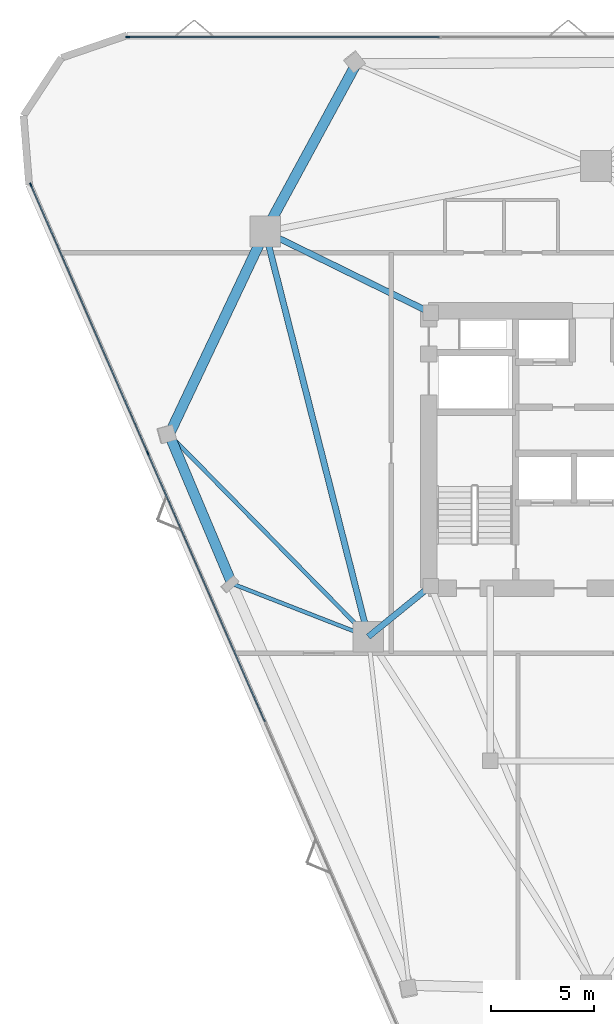
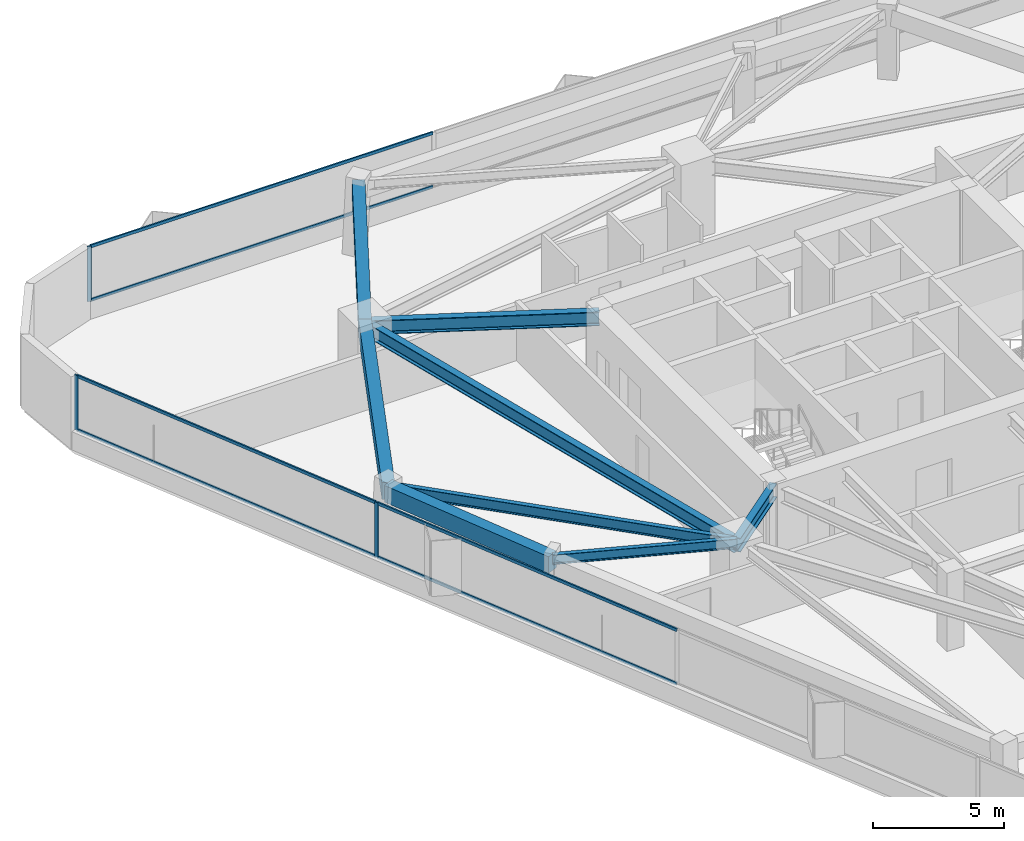
# One storey, part 4 of 11: 9 members, 8 beams, 2 elements without a shape of their own.
"""IFC4 building model written with IfcOpenShell, lengths in metres."""

from ifc_helpers import new_model, si_unit, direction, frame, origin, origin_2d, place, context, subcontext, project, spatial, rectangle, i_section, extrude, material, layer, layer_set, material_profile, profile_set, type_object, element, aggregate, save


model = new_model("IFC4")

# Units and contexts
model_context = context("Model", 3, precision=1e-05, world=origin(), true_north=direction((0.0, 1.0)))
body_context = subcontext(model_context, "Body", "Model", "MODEL_VIEW")
ifc_project = project(units=[si_unit("LENGTHUNIT", "METRE"), si_unit("AREAUNIT", "SQUARE_METRE"), si_unit("VOLUMEUNIT", "CUBIC_METRE"), si_unit("PLANEANGLEUNIT", "RADIAN"), si_unit("MASSUNIT", "GRAM", prefix="KILO")], contexts=[model_context])

# Site, building, storey
site_placement = place(None, origin())
site = spatial("IfcSite", under=ifc_project, at=site_placement, CompositionType="ELEMENT")
building_placement = place(site_placement, origin())
building = spatial("IfcBuilding", under=site, at=building_placement, Name="Talyreon Biosciences Tower", CompositionType="ELEMENT")
storey_placement = place(building_placement, frame((0.0, 0.0, 163.699951171875)))
storey = spatial("IfcBuildingStorey", under=building, at=storey_placement, Name="L43", CompositionType="ELEMENT", Elevation=163.699951171875)

# Curtain wall, members
ifc_material_1 = material(Name="Thermally broken aluminium and low-E glazing", Category="aluminium")
ifc_layer = layer(ifc_material_1, 0.18505859375)
ifc_layer_set = layer_set([ifc_layer], Name="Thermally broken aluminium and low-E glazing")
curtain_wall_type = type_object("IfcCurtainWallType", Name="CurtainWall_Zone3Bioprocess", PredefinedType="NOTDEFINED", material=ifc_layer_set)
curtain_wall_1_placement = place(storey_placement, origin())
curtain_wall_1 = element("IfcCurtainWall", 1, at=curtain_wall_1_placement, inside=storey, type_object=curtain_wall_type, Name="L43 Unitised Curtain Wall FCW-L43-00", PredefinedType="NOTDEFINED")
ifc_material_2 = material(Name="Anodised thermally broken aluminium", Category="aluminium")
ifc_material_profile_1 = material_profile(ifc_material_2, rectangle(XDim=0.06494140625, YDim=0.179931640625, at=origin_2d()), Name="ALUM MULLION 65x180")
ifc_profile_set_1 = profile_set([ifc_material_profile_1], Name="Anodised thermally broken aluminium")
member_type_1 = type_object("IfcMemberType", Name="CWMullion_65x180", PredefinedType="MULLION", material=ifc_profile_set_1)
member_1_placement = place(storey_placement, frame((44.18603515625, 67.81201171875, 0.81005859375), z_axis=(0.0, 0.0, 1.0), x_axis=(-0.916731187474, -0.399504605621, 0.0)))
member_1 = element("IfcMember", 2, at=member_1_placement, type_object=member_type_1, Name="CW4 mullion 4", PredefinedType="MULLION", context=body_context, shape_type="SweptSolid", body=[
    extrude(rectangle(XDim=0.06494140625, YDim=0.179931640625, at=origin_2d()), origin(), (0.0, 0.0, 1.0), 2.56494140625),
])
member_2_placement = place(storey_placement, frame((38.492431640625, 80.877197265625, 0.81005859375), z_axis=(0.0, 0.0, 1.0), x_axis=(-0.916731187474, -0.399504605621, 0.0)))
member_2 = element("IfcMember", 3, at=member_2_placement, type_object=member_type_1, Name="CW4 mullion 5", PredefinedType="MULLION", context=body_context, shape_type="SweptSolid", body=[
    extrude(rectangle(XDim=0.06494140625, YDim=0.179931640625, at=origin_2d()), origin(), (0.0, 0.0, 1.0), 2.56494140625),
])

# Curtain wall, member
curtain_wall_2_placement = place(storey_placement, origin())
curtain_wall_2 = element("IfcCurtainWall", 4, at=curtain_wall_2_placement, inside=storey, type_object=curtain_wall_type, Name="L43 Unitised Curtain Wall FCW-L43-04", PredefinedType="NOTDEFINED")
member_3_placement = place(storey_placement, frame((43.20556640625, 88.072509765625, 0.81005859375), z_axis=(0.0, 0.0, 1.0), x_axis=(0.0, 1.0, 0.0)))
member_3 = element("IfcMember", 5, at=member_3_placement, type_object=member_type_1, Name="CW4 mullion 1", PredefinedType="MULLION", context=body_context, shape_type="SweptSolid", body=[
    extrude(rectangle(XDim=0.06494140625, YDim=0.179931640625, at=origin_2d()), origin(), (0.0, 0.0, 1.0), 2.56494140625),
])

# Member
ifc_material_profile_2 = material_profile(ifc_material_2, rectangle(XDim=0.06494140625, YDim=0.139892578125, at=origin_2d()), Name="ALUM TRANSOM 65x140")
ifc_profile_set_2 = profile_set([ifc_material_profile_2], Name="Anodised thermally broken aluminium")
member_type_2 = type_object("IfcMemberType", Name="CWTransom_65x140", PredefinedType="USERDEFINED", material=ifc_profile_set_2)
member_4_placement = place(storey_placement, frame((49.8798828125, 54.746826171875, 0.842529296875), z_axis=(-0.399500699967, 0.916732889519, 0.0), x_axis=(-0.916732889519, -0.399500699967, 0.0)))
member_4 = element("IfcMember", 6, at=member_4_placement, type_object=member_type_2, Name="CW4 transom 3.1", ObjectType="TRANSOM", PredefinedType="USERDEFINED", context=body_context, shape_type="SweptSolid", body=[
    extrude(rectangle(XDim=0.06494140625, YDim=0.139892578125, at=origin_2d()), origin(), (0.0, 0.0, 1.0), 14.219482421875),
])

member_5_placement = place(storey_placement, frame((49.8798828125, 54.746826171875, 3.342529296875), z_axis=(-0.399500699967, 0.916732889519, 0.0), x_axis=(-0.916732889519, -0.399500699967, 0.0)))
member_5 = element("IfcMember", 7, at=member_5_placement, type_object=member_type_2, Name="CW4 transom 3.2", ObjectType="TRANSOM", PredefinedType="USERDEFINED", context=body_context, shape_type="SweptSolid", body=[
    extrude(rectangle(XDim=0.06494140625, YDim=0.139892578125, at=origin_2d()), origin(), (0.0, 0.0, 1.0), 14.219482421875),
])

member_6_placement = place(storey_placement, frame((44.173095703125, 67.841796875, 0.842529296875), z_axis=(-0.399503101725, 0.916731842859, 0.0), x_axis=(-0.916731842859, -0.399503101725, 0.0)))
member_6 = element("IfcMember", 8, at=member_6_placement, type_object=member_type_2, Name="CW4 transom 4.1", ObjectType="TRANSOM", PredefinedType="USERDEFINED", context=body_context, shape_type="SweptSolid", body=[
    extrude(rectangle(XDim=0.06494140625, YDim=0.139892578125, at=origin_2d()), origin(), (0.0, 0.0, 1.0), 14.18701171875),
])

member_7_placement = place(storey_placement, frame((44.173095703125, 67.841796875, 3.342529296875), z_axis=(-0.399503101725, 0.916731842859, 0.0), x_axis=(-0.916731842859, -0.399503101725, 0.0)))
member_7 = element("IfcMember", 9, at=member_7_placement, type_object=member_type_2, Name="CW4 transom 4.2", ObjectType="TRANSOM", PredefinedType="USERDEFINED", context=body_context, shape_type="SweptSolid", body=[
    extrude(rectangle(XDim=0.06494140625, YDim=0.139892578125, at=origin_2d()), origin(), (0.0, 0.0, 1.0), 14.18701171875),
])

aggregate(curtain_wall_1, [member_1, member_2, member_4, member_5, member_6, member_7])

member_8_placement = place(storey_placement, frame((43.238037109375, 88.072509765625, 0.842529296875), z_axis=(1.0, 0.0, 0.0), x_axis=(0.0, 1.0, 0.0)))
member_8 = element("IfcMember", 10, at=member_8_placement, type_object=member_type_2, Name="CW4 transom 1.1", ObjectType="TRANSOM", PredefinedType="USERDEFINED", context=body_context, shape_type="SweptSolid", body=[
    extrude(rectangle(XDim=0.06494140625, YDim=0.139892578125, at=origin_2d()), origin(), (0.0, 0.0, 1.0), 15.12060546875),
])

member_9_placement = place(storey_placement, frame((43.238037109375, 88.072509765625, 3.342529296875), z_axis=(1.0, 0.0, 0.0), x_axis=(0.0, 1.0, 0.0)))
member_9 = element("IfcMember", 11, at=member_9_placement, type_object=member_type_2, Name="CW4 transom 1.2", ObjectType="TRANSOM", PredefinedType="USERDEFINED", context=body_context, shape_type="SweptSolid", body=[
    extrude(rectangle(XDim=0.06494140625, YDim=0.139892578125, at=origin_2d()), origin(), (0.0, 0.0, 1.0), 15.12060546875),
])

aggregate(curtain_wall_2, [member_3, member_8, member_9])

# Beams
ifc_material_3 = material(Name="Precast concrete C45/55", Category="concrete")
ifc_material_profile_3 = material_profile(ifc_material_3, rectangle(XDim=0.5, YDim=0.780029296875, at=origin_2d()), Name="RCB 500x780")
ifc_profile_set_3 = profile_set([ifc_material_profile_3], Name="Precast concrete C45/55")
beam_type_1 = type_object("IfcBeamType", Name="ExpressedSpandrel_500x780", PredefinedType="SPANDREL", material=ifc_profile_set_3)
beam_1_placement = place(storey_placement, frame((54.325927734375, 86.758056640625, 2.985107421875), z_axis=(-0.476993781192, -0.878906668938, 0.0), x_axis=(0.878906668938, -0.476993781192, 0.0)))
element("IfcBeam", 12, at=beam_1_placement, inside=storey, type_object=beam_type_1, Name="L43 Expressed Horizontal Concrete Spandrel 08", PredefinedType="SPANDREL", context=body_context, shape_type="SweptSolid", body=[
    extrude(rectangle(XDim=0.5, YDim=0.780029296875, at=origin_2d()), origin(), (0.0, 0.0, 1.0), 9.28369140625),
])
beam_2_placement = place(storey_placement, frame((49.897705078125, 78.5986328125, 2.985107421875), z_axis=(-0.427650224466, -0.903944293369, 0.0), x_axis=(0.903944293369, -0.427650224466, 0.0)))
element("IfcBeam", 13, at=beam_2_placement, inside=storey, type_object=beam_type_1, Name="L43 Expressed Horizontal Concrete Spandrel 09", PredefinedType="SPANDREL", context=body_context, shape_type="SweptSolid", body=[
    extrude(rectangle(XDim=0.5, YDim=0.780029296875, at=origin_2d()), origin(), (0.0, 0.0, 1.0), 10.92626953125),
])
beam_3_placement = place(storey_placement, frame((45.22509765625, 68.721923828125, 2.985107421875), z_axis=(0.387688086314, -0.921790620331, 0.0), x_axis=(0.921790620331, 0.387688086314, 0.0)))
element("IfcBeam", 14, at=beam_3_placement, inside=storey, type_object=beam_type_1, Name="L43 Expressed Horizontal Concrete Spandrel 10", PredefinedType="SPANDREL", context=body_context, shape_type="SweptSolid", body=[
    extrude(rectangle(XDim=0.5, YDim=0.780029296875, at=origin_2d()), origin(), (0.0, 0.0, 1.0), 7.870361328125),
])
ifc_material_4 = material(Name="Steel SM355", Category="steel")
ifc_material_profile_4 = material_profile(ifc_material_4, i_section(OverallWidth=0.300048828125, OverallDepth=0.64990234375, WebThickness=0.01611328125, FlangeThickness=0.031005859375, FilletRadius=0.027099609375, at=origin_2d()), Name="HE650B")
ifc_profile_set_4 = profile_set([ifc_material_profile_4], Name="Steel SM355")
beam_type_2 = type_object("IfcBeamType", Name="SteelBeam_HE650B", PredefinedType="BEAM", material=ifc_profile_set_4)
beam_4_placement = place(storey_placement, frame((49.897705078125, 78.5986328125, 3.050048828125), z_axis=(0.246537082299, -0.969133358755, 0.0), x_axis=(0.969133358755, 0.246537082299, 0.0)))
element("IfcBeam", 15, at=beam_4_placement, inside=storey, type_object=beam_type_2, Name="L43 Mega-Ring Girder 5", PredefinedType="BEAM", context=body_context, shape_type="SweptSolid", body=[
    extrude(i_section(OverallWidth=0.300048828125, OverallDepth=0.64990234375, WebThickness=0.01611328125, FlangeThickness=0.031005859375, FilletRadius=0.027099609375, at=origin_2d()), origin(), (0.0, 0.0, 1.0), 20.34619140625),
])
beam_5_placement = place(storey_placement, frame((57.949951171875, 74.64990234375, 3.050048828125), z_axis=(-0.897852360314, 0.440296648952, 0.0), x_axis=(-0.440296648952, -0.897852360314, 0.0)))
element("IfcBeam", 16, at=beam_5_placement, inside=storey, type_object=beam_type_2, Name="L43 Radial Primary Girder 5", PredefinedType="BEAM", context=body_context, shape_type="SweptSolid", body=[
    extrude(i_section(OverallWidth=0.300048828125, OverallDepth=0.64990234375, WebThickness=0.01611328125, FlangeThickness=0.031005859375, FilletRadius=0.027099609375, at=origin_2d()), origin(), (0.0, 0.0, 1.0), 8.96826171875),
])
beam_6_placement = place(storey_placement, frame((57.949951171875, 61.35009765625, 3.050048828125), z_axis=(-0.775755154013, -0.631034025249, 0.0), x_axis=(0.631034025249, -0.775755154013, 0.0)))
element("IfcBeam", 17, at=beam_6_placement, inside=storey, type_object=beam_type_2, Name="L43 Radial Primary Girder 6", PredefinedType="BEAM", context=body_context, shape_type="SweptSolid", body=[
    extrude(i_section(OverallWidth=0.300048828125, OverallDepth=0.64990234375, WebThickness=0.01611328125, FlangeThickness=0.031005859375, FilletRadius=0.027099609375, at=origin_2d()), origin(), (0.0, 0.0, 1.0), 3.913818359375),
])
ifc_material_profile_5 = material_profile(ifc_material_4, i_section(OverallWidth=0.18994140625, OverallDepth=0.449951171875, WebThickness=0.009521484375, FlangeThickness=0.0146484375, FilletRadius=0.02099609375, at=origin_2d()), Name="IPE450")
ifc_profile_set_5 = profile_set([ifc_material_profile_5], Name="Steel SM355")
beam_type_3 = type_object("IfcBeamType", Name="SteelJoist_IPE450", PredefinedType="JOIST", material=ifc_profile_set_5)
beam_7_placement = place(storey_placement, frame((54.913818359375, 58.88037109375, 3.150146484375), z_axis=(-0.931746524455, 0.363109369427, 0.0), x_axis=(-0.363109369427, -0.931746524455, 0.0)))
element("IfcBeam", 18, at=beam_7_placement, inside=storey, type_object=beam_type_3, Name="L43 Radial Composite Floor Joist PL-SW", PredefinedType="JOIST", context=body_context, shape_type="SweptSolid", body=[
    extrude(i_section(OverallWidth=0.18994140625, OverallDepth=0.449951171875, WebThickness=0.009521484375, FlangeThickness=0.0146484375, FilletRadius=0.02099609375, at=origin_2d()), origin(), (0.0, 0.0, 1.0), 7.123779296875),
])
ifc_material_profile_6 = material_profile(ifc_material_4, i_section(OverallWidth=0.199951171875, OverallDepth=0.5, WebThickness=0.01025390625, FlangeThickness=0.01611328125, FilletRadius=0.02099609375, at=origin_2d()), Name="IPE500")
ifc_profile_set_6 = profile_set([ifc_material_profile_6], Name="Steel SM355")
beam_type_4 = type_object("IfcBeamType", Name="SteelJoist_IPE500", PredefinedType="JOIST", material=ifc_profile_set_6)
beam_8_placement = place(storey_placement, frame((54.913818359375, 58.88037109375, 3.125), z_axis=(-0.701551913904, 0.712618349537, 0.0), x_axis=(-0.712618349537, -0.701551913904, 0.0)))
element("IfcBeam", 19, at=beam_8_placement, inside=storey, type_object=beam_type_4, Name="L43 Radial Composite Floor Joist PC-SW1", PredefinedType="JOIST", context=body_context, shape_type="SweptSolid", body=[
    extrude(i_section(OverallWidth=0.199951171875, OverallDepth=0.5, WebThickness=0.01025390625, FlangeThickness=0.01611328125, FilletRadius=0.02099609375, at=origin_2d()), origin(), (0.0, 0.0, 1.0), 13.810302734375),
])

save(model, "model.ifc")
